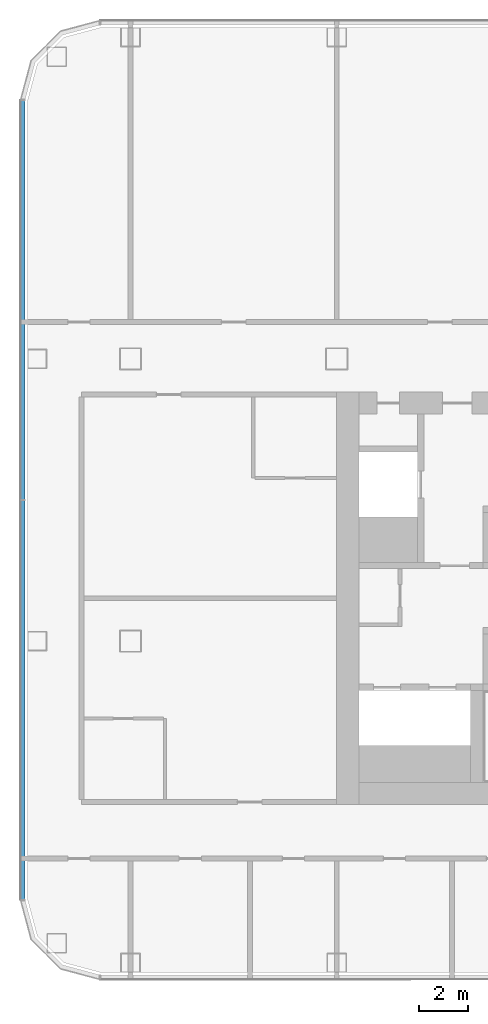
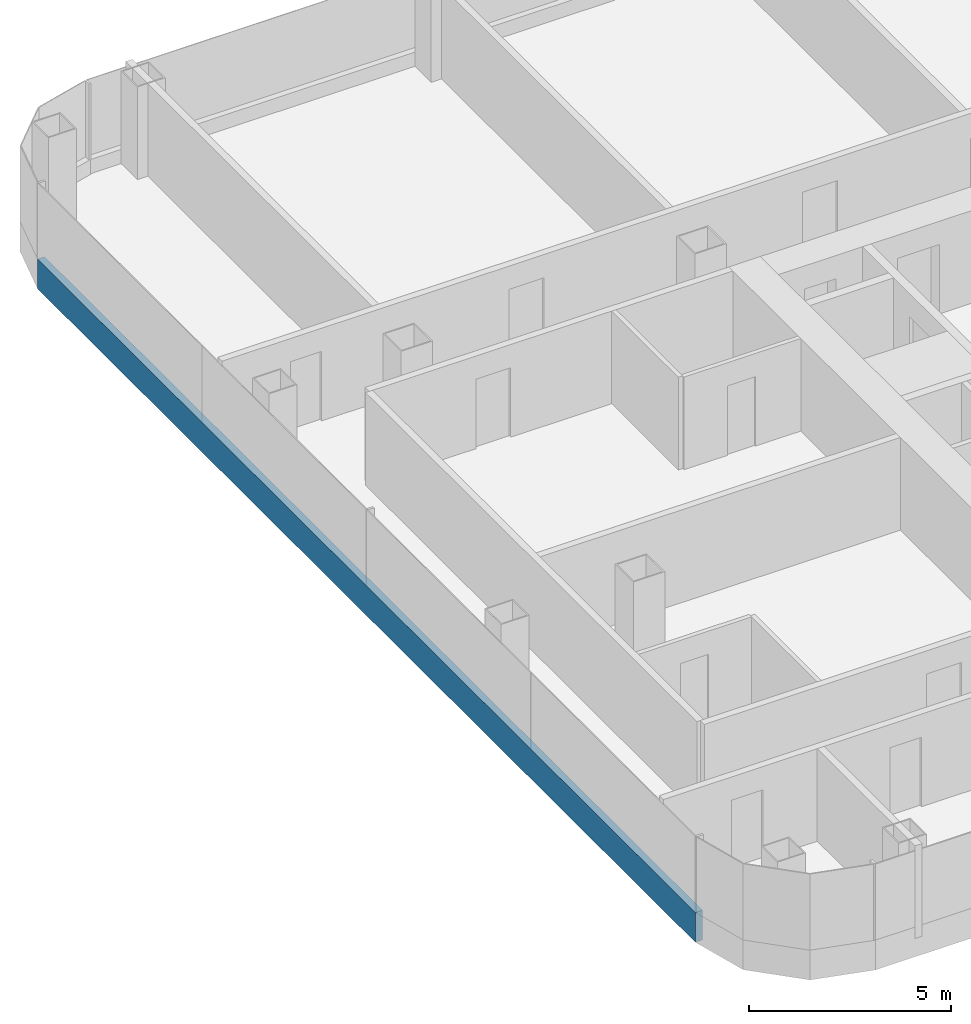
# One storey, part 3 of 29: 1 member, 1 element without a shape of its own.
"""IFC4 building model written with IfcOpenShell, lengths in metres."""

import ifcopenshell
import ifcopenshell.guid

model = None  # the IFC model being written
_history = None  # IfcOwnerHistory: only IFC2X3 demands one
_inside = {}  # id of a spatial element -> (the spatial element, [elements in it])
_under = {}  # id of a project, library or spatial element -> (it, [spatial elements below it])
_declared = {}  # id of a project -> (the project, [libraries it declares])
_typed = {}  # id of a type object -> (the type object, [elements of that type])
_made_of = {}  # id of a material, layer set ... -> (it, [elements and type objects made of it])


def new_model(schema):
    """Start an empty IFC model of exactly this schema.

    Asked for "IFC4X3", IfcOpenShell would pick the latest addendum, in which some entities
    have other attributes; the version numbers below select the first issue.
    IFC2X3 requires an IfcOwnerHistory on every rooted entity: one is made here for all.
    """
    global model, _history
    if schema == "IFC4X3":
        model = ifcopenshell.file(schema_version=(4, 3, 0, 0))
    else:
        model = ifcopenshell.file(schema=schema)
    _inside.clear()
    _under.clear()
    _declared.clear()
    _typed.clear()
    _made_of.clear()
    _history = None
    if model.schema == "IFC2X3":
        org = make("IfcOrganization", Name="unknown")
        user = make(
            "IfcPersonAndOrganization",
            ThePerson=make("IfcPerson", FamilyName="unknown"),
            TheOrganization=org,
        )
        app = make(
            "IfcApplication",
            ApplicationDeveloper=org,
            Version="unknown",
            ApplicationFullName="unknown",
            ApplicationIdentifier="unknown",
        )
        _history = make(
            "IfcOwnerHistory",
            OwningUser=user,
            OwningApplication=app,
            ChangeAction="ADDED",
            CreationDate=0,
        )
    return model


def make(cls, **values):
    """One entity of the class cls with the attributes given. An attribute that is None is left unset."""
    return model.create_entity(
        cls, **{name: value for name, value in values.items() if value is not None}
    )


def rooted(cls, **values):
    """An entity with a GlobalId (a new one), such as an element, a storey or a relation."""
    return make(cls, GlobalId=ifcopenshell.guid.new(), OwnerHistory=_history, **values)


def si_unit(unit_type, name, prefix=None):
    """IfcSIUnit, for example si_unit("LENGTHUNIT", "METRE", prefix="MILLI")."""
    return make("IfcSIUnit", UnitType=unit_type, Prefix=prefix, Name=name)


def assignment(units):
    """IfcUnitAssignment: the units of a project."""
    return None if units is None else make("IfcUnitAssignment", Units=units)


def point(xyz):
    """IfcCartesianPoint."""
    return None if xyz is None else make("IfcCartesianPoint", Coordinates=xyz)


def direction(xyz):
    """IfcDirection."""
    return None if xyz is None else make("IfcDirection", DirectionRatios=xyz)


def frame(location, z_axis=None, x_axis=None):
    """IfcAxis2Placement3D, a coordinate frame: its origin and axes. An axis left out is left unset."""
    return make(
        "IfcAxis2Placement3D",
        Location=point(location),
        Axis=direction(z_axis),
        RefDirection=direction(x_axis),
    )


def frame_2d(location, x_axis=None):
    """IfcAxis2Placement2D, a coordinate frame in the plane: its origin and x axis."""
    return make(
        "IfcAxis2Placement2D", Location=point(location), RefDirection=direction(x_axis)
    )


def origin():
    """The frame at (0, 0, 0) with its axes left unset."""
    return frame((0.0, 0.0, 0.0))


def origin_2d():
    """The frame at (0, 0) in the plane with its x axis left unset."""
    return frame_2d((0.0, 0.0))


def place(relative_to, where):
    """IfcLocalPlacement: puts the frame where relative to a parent placement (None: the world)."""
    return make(
        "IfcLocalPlacement", PlacementRelTo=relative_to, RelativePlacement=where
    )


def context(
    kind, dimensions, precision=None, world=None, true_north=None, identifier=None
):
    """IfcGeometricRepresentationContext, for example the 3D "Model" context."""
    return make(
        "IfcGeometricRepresentationContext",
        ContextIdentifier=identifier,
        ContextType=kind,
        CoordinateSpaceDimension=dimensions,
        Precision=precision,
        WorldCoordinateSystem=world,
        TrueNorth=true_north,
    )


def subcontext(parent, identifier, kind, view, scale=None):
    """IfcGeometricRepresentationSubContext, for example "Body" below "Model"."""
    return make(
        "IfcGeometricRepresentationSubContext",
        ContextIdentifier=identifier,
        ContextType=kind,
        ParentContext=parent,
        TargetScale=scale,
        TargetView=view,
    )


def project(units=None, contexts=None):
    """IfcProject with its units and contexts."""
    return rooted(
        "IfcProject",
        Name="project",
        RepresentationContexts=contexts,
        UnitsInContext=assignment(units),
    )


def spatial(cls, under=None, at=None, **own):
    """A site, building, storey or space (cls), placed at a placement, below another one or the project."""
    s = rooted(cls, ObjectPlacement=at, **own)
    if under is not None:
        _under.setdefault(under.id(), (under, []))[1].append(s)
    return s


def profile(cls, at=None, kind="AREA", **sizes):
    """A parametric profile (cls). Its sizes go by their IFC names, for example OverallWidth=200.0."""
    return make(cls, ProfileType=kind, Position=at, **sizes)


def rectangle(**sizes):
    """IfcRectangleProfileDef."""
    return profile("IfcRectangleProfileDef", **sizes)


def extrude(swept, where, along, depth):
    """IfcExtrudedAreaSolid: the profile swept, set in the frame where, extruded along a direction by depth."""
    return make(
        "IfcExtrudedAreaSolid",
        SweptArea=swept,
        Position=where,
        ExtrudedDirection=direction(along),
        Depth=depth,
    )


def shape(context_of_items, identifier, shape_type, items):
    """IfcShapeRepresentation: the items that make up one representation, for example the "Body"."""
    return make(
        "IfcShapeRepresentation",
        ContextOfItems=context_of_items,
        RepresentationIdentifier=identifier,
        RepresentationType=shape_type,
        Items=items,
    )


def material(Name=None, Category=None):
    """IfcMaterial."""
    return make("IfcMaterial", Name=Name, Category=Category)


def layer(
    of_material, thickness, ventilated=None, Name=None, Category=None, Priority=None
):
    """IfcMaterialLayer: one layer of a wall or slab, of a material (None: an air gap)."""
    return make(
        "IfcMaterialLayer",
        Material=of_material,
        LayerThickness=thickness,
        IsVentilated=ventilated,
        Name=Name,
        Category=Category,
        Priority=Priority,
    )


def layer_set(layers, Name=None):
    """IfcMaterialLayerSet."""
    return make("IfcMaterialLayerSet", MaterialLayers=layers, LayerSetName=Name)


def material_profile(
    of_material, cross_section, Name=None, Category=None, Priority=None
):
    """IfcMaterialProfile: a cross section and its material."""
    return make(
        "IfcMaterialProfile",
        Name=Name,
        Material=of_material,
        Profile=cross_section,
        Priority=Priority,
        Category=Category,
    )


def profile_set(profiles, Name=None, composite=None):
    """IfcMaterialProfileSet."""
    return make(
        "IfcMaterialProfileSet",
        Name=Name,
        MaterialProfiles=profiles,
        CompositeProfile=composite,
    )


def made_of(thing, what):
    """Note that an element or type object is made of a material, layer set ...; save() writes the relation."""
    if what is not None:
        _made_of.setdefault(what.id(), (what, []))[1].append(thing)
    return thing


def type_object(cls, material=None, **own):
    """A type object (cls), such as IfcWallType, which elements share."""
    return made_of(rooted(cls, **own), material)


def element(
    cls,
    number,
    at=None,
    inside=None,
    cuts=None,
    type_object=None,
    material=None,
    context=None,
    identifier="Body",
    shape_type=None,
    held_by="IfcProductDefinitionShape",
    body=None,
    shapes=None,
    **own,
):
    """One element of the class cls, such as IfcWall. Its Tag is "e" and its number.

    at: its placement. inside: the storey or other place that contains it. cuts: it is an
    opening in that element (IfcRelVoidsElement). A single representation is given by context,
    identifier, shape_type and body (its items); several are given by shapes. held_by: the class
    of the entity that holds the representations. save() writes the other relations.
    """
    e = rooted(cls, Tag="e%d" % number, ObjectPlacement=at, **own)
    if body is not None:
        shapes = [shape(context, identifier, shape_type, body)]
    if shapes is not None:
        e.Representation = make(held_by, Representations=shapes)
    if inside is not None:
        _inside.setdefault(inside.id(), (inside, []))[1].append(e)
    if cuts is not None:
        rooted(
            "IfcRelVoidsElement", RelatingBuildingElement=cuts, RelatedOpeningElement=e
        )
    if type_object is not None:
        _typed.setdefault(type_object.id(), (type_object, []))[1].append(e)
    return made_of(e, material)


def aggregate(whole, parts):
    """IfcRelAggregates: a whole, such as a stair, and the parts it consists of."""
    return rooted("IfcRelAggregates", RelatingObject=whole, RelatedObjects=parts)


def save(model, path):
    """Write the relations noted so far, then the file.

    IfcRelAggregates (storeys below a building ...), IfcRelContainedInSpatialStructure (elements
    in a storey), IfcRelDefinesByType, IfcRelAssociatesMaterial and IfcRelDeclares: one each for
    every whole, place, type object, material and project.
    """
    for whole, parts in _under.values():
        aggregate(whole, parts)
    for where, things in _inside.values():
        rooted(
            "IfcRelContainedInSpatialStructure",
            RelatedElements=things,
            RelatingStructure=where,
        )
    for kind, things in _typed.values():
        rooted("IfcRelDefinesByType", RelatedObjects=things, RelatingType=kind)
    for what, things in _made_of.values():
        rooted("IfcRelAssociatesMaterial", RelatedObjects=things, RelatingMaterial=what)
    for by, libraries in _declared.values():
        rooted("IfcRelDeclares", RelatingContext=by, RelatedDefinitions=libraries)
    model.write(path)


model = new_model("IFC4")

# Units and contexts
model_context = context("Model", 3, precision=1e-05, world=origin(), true_north=direction((0.0, 1.0)))
body_context = subcontext(model_context, "Body", "Model", "MODEL_VIEW")
ifc_project = project(units=[si_unit("LENGTHUNIT", "METRE"), si_unit("AREAUNIT", "SQUARE_METRE"), si_unit("VOLUMEUNIT", "CUBIC_METRE"), si_unit("PLANEANGLEUNIT", "RADIAN"), si_unit("MASSUNIT", "GRAM", prefix="KILO")], contexts=[model_context])

# Site, building, storey
site_placement = place(None, origin())
site = spatial("IfcSite", under=ifc_project, at=site_placement, CompositionType="ELEMENT")
building_placement = place(site_placement, origin())
building = spatial("IfcBuilding", under=site, at=building_placement, Name="Hakoniwa Tower and Hamabe Station Hall", CompositionType="ELEMENT")
storey_placement = place(building_placement, frame((0.0, 0.0, 88.199951171875)))
storey = spatial("IfcBuildingStorey", under=building, at=storey_placement, Name="L24", CompositionType="ELEMENT", Elevation=88.199951171875)

# Curtain wall, member
ifc_material_1 = material(Name="Dark low-e laminated glass", Category="glass")
ifc_layer = layer(ifc_material_1, 0.199951171875)
ifc_layer_set = layer_set([ifc_layer], Name="CW-1 UNITISED GUEST")
curtain_wall_type = type_object("IfcCurtainWallType", Name="CW-1 UNITISED GUEST", PredefinedType="NOTDEFINED", material=ifc_layer_set)
curtain_wall_placement = place(storey_placement, origin())
curtain_wall = element("IfcCurtainWall", 1, at=curtain_wall_placement, inside=storey, type_object=curtain_wall_type, Name="CW-1 curtain wall", PredefinedType="NOTDEFINED")
ifc_material_2 = material(Name="Aluminium 6063-T5 black anodised", Category="aluminium")
ifc_material_profile = material_profile(ifc_material_2, rectangle(XDim=0.199951171875, YDim=0.89990234375, at=origin_2d()), Name="CW SLAB-EDGE BAND 900X200")
ifc_profile_set = profile_set([ifc_material_profile], Name="Aluminium 6063-T5 black anodised")
member_type = type_object("IfcMemberType", Name="CW SLAB-EDGE BAND 900X200", PredefinedType="USERDEFINED", material=ifc_profile_set)
member_placement = place(storey_placement, frame((-46.39990234375, 20.28955078125, -0.099853515625), z_axis=(0.0, -1.0, 0.0), x_axis=(1.0, 0.0, 0.0)))
member = element("IfcMember", 2, at=member_placement, type_object=member_type, Name="CW-1 transom", ObjectType="TRANSOM", PredefinedType="USERDEFINED", context=body_context, shape_type="SweptSolid", body=[
    extrude(rectangle(XDim=0.199951171875, YDim=0.89990234375, at=origin_2d()), origin(), (0.0, 0.0, 1.0), 32.5791015625),
])
aggregate(curtain_wall, [member])

save(model, "model.ifc")
